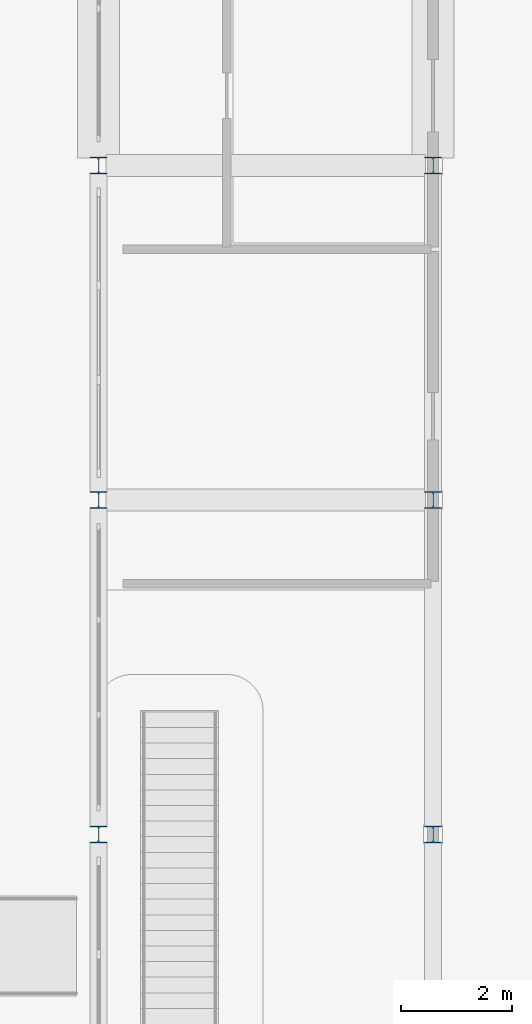
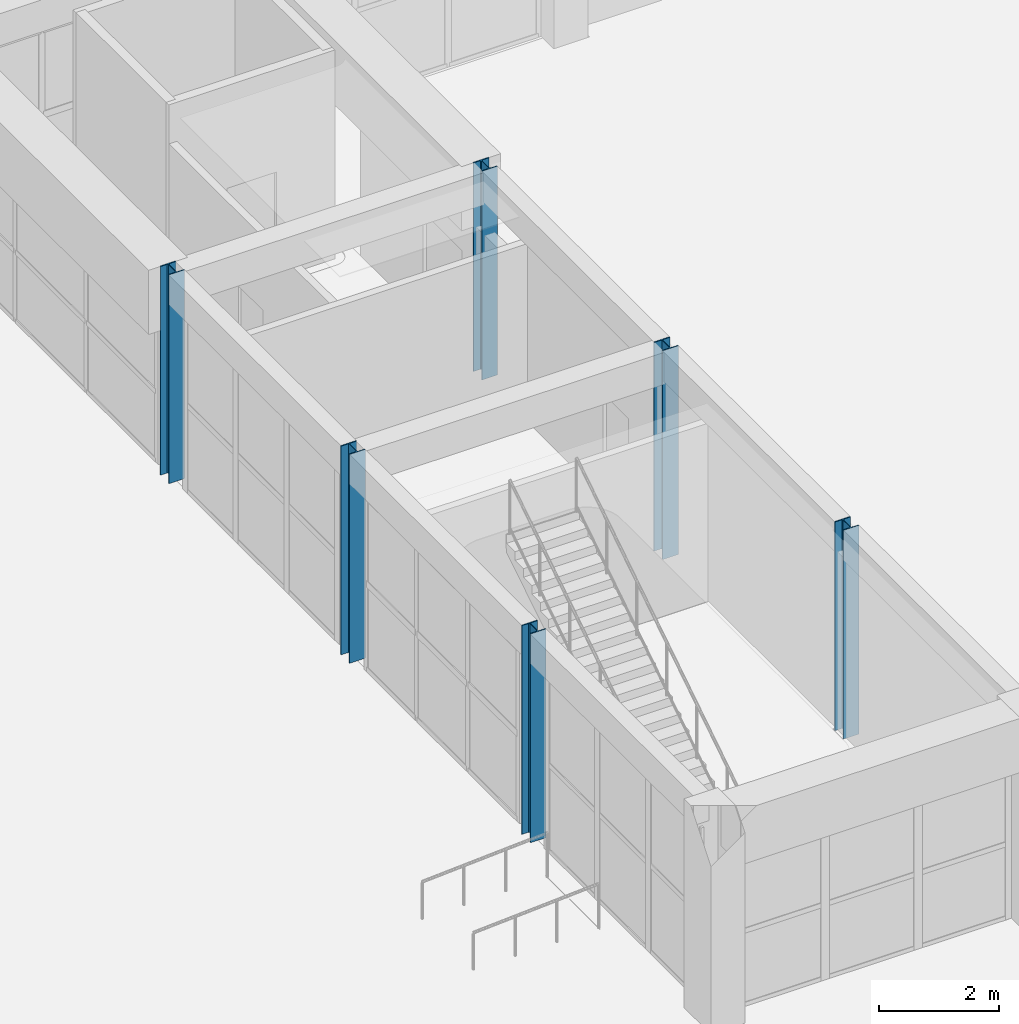
# One storey, part 4 of 76: 6 columns.
"""IFC4 building model written with IfcOpenShell, lengths in metres."""

from ifc_helpers import new_model, si_unit, direction, frame, origin, origin_2d, place, context, subcontext, project, spatial, i_section, extrude, material, material_profile, profile_set, type_object, element, save


model = new_model("IFC4")

# Units and contexts
model_context = context("Model", 3, precision=1e-05, world=origin(), true_north=direction((0.0, 1.0)))
body_context = subcontext(model_context, "Body", "Model", "MODEL_VIEW")
ifc_project = project(units=[si_unit("LENGTHUNIT", "METRE"), si_unit("AREAUNIT", "SQUARE_METRE"), si_unit("VOLUMEUNIT", "CUBIC_METRE"), si_unit("PLANEANGLEUNIT", "RADIAN"), si_unit("MASSUNIT", "GRAM", prefix="KILO"), si_unit("POWERUNIT", "WATT"), si_unit("THERMODYNAMICTEMPERATUREUNIT", "KELVIN")], contexts=[model_context])

# Site, building, storey
site_placement = place(None, origin())
site = spatial("IfcSite", under=ifc_project, at=site_placement, CompositionType="ELEMENT")
building_placement = place(site_placement, origin())
building = spatial("IfcBuilding", under=site, at=building_placement, Name="Ruvembo Vaulted Housing Court", CompositionType="ELEMENT")
storey_placement = place(building_placement, origin())
storey = spatial("IfcBuildingStorey", under=building, at=storey_placement, Name="L00", CompositionType="ELEMENT", Elevation=0.0)

# Columns
ifc_material = material(Name="Steel S355J2", Category="steel")
ifc_material_profile = material_profile(ifc_material, i_section(OverallWidth=0.300048828125, OverallDepth=0.300048828125, WebThickness=0.010986328125, FlangeThickness=0.01904296875, FilletRadius=0.027099609375, at=origin_2d()), Name="HEB 300")
ifc_profile_set = profile_set([ifc_material_profile], Name="Steel S355J2")
column_type = type_object("IfcColumnType", Name="COL-ST-HEB300", PredefinedType="COLUMN", material=ifc_profile_set)
for number, where, z_axis, x_axis, name in (
    (1, (66.0, 48.0, 0.0), (0.0, 0.0, 1.0), (1.0, 0.0, 0.0), "L00 Column (66,48)"),
    (2, (66.0, 54.0, 0.0), (0.0, 0.0, 1.0), (1.0, 0.0, 0.0), "L00 Column (66,54)"),
    (3, (66.0, 60.0, 0.0), (0.0, 0.0, 1.0), (1.0, 0.0, 0.0), "L00 Column (66,60)"),
    (4, (72.0, 48.0, 0.0), (0.0, 0.0, 1.0), (1.0, 0.0, 0.0), "L00 Column (72,48)"),
    (5, (72.0, 54.0, 0.0), (0.0, 0.0, 1.0), (1.0, 0.0, 0.0), "L00 Column (72,54)"),
    (6, (72.0, 60.0, 0.0), (0.0, 0.0, 1.0), (1.0, 0.0, 0.0), "L00 Column (72,60)"),
):
    element("IfcColumn", number, at=place(storey_placement, frame(where, z_axis=z_axis, x_axis=x_axis)), inside=storey, type_object=column_type, Name=name, PredefinedType="COLUMN", context=body_context, shape_type="SweptSolid", body=[
        extrude(i_section(OverallWidth=0.300048828125, OverallDepth=0.300048828125, WebThickness=0.010986328125, FlangeThickness=0.01904296875, FilletRadius=0.027099609375, at=origin_2d()), origin(), (0.0, 0.0, 1.0), 4.22998046875),
    ])

save(model, "model.ifc")
